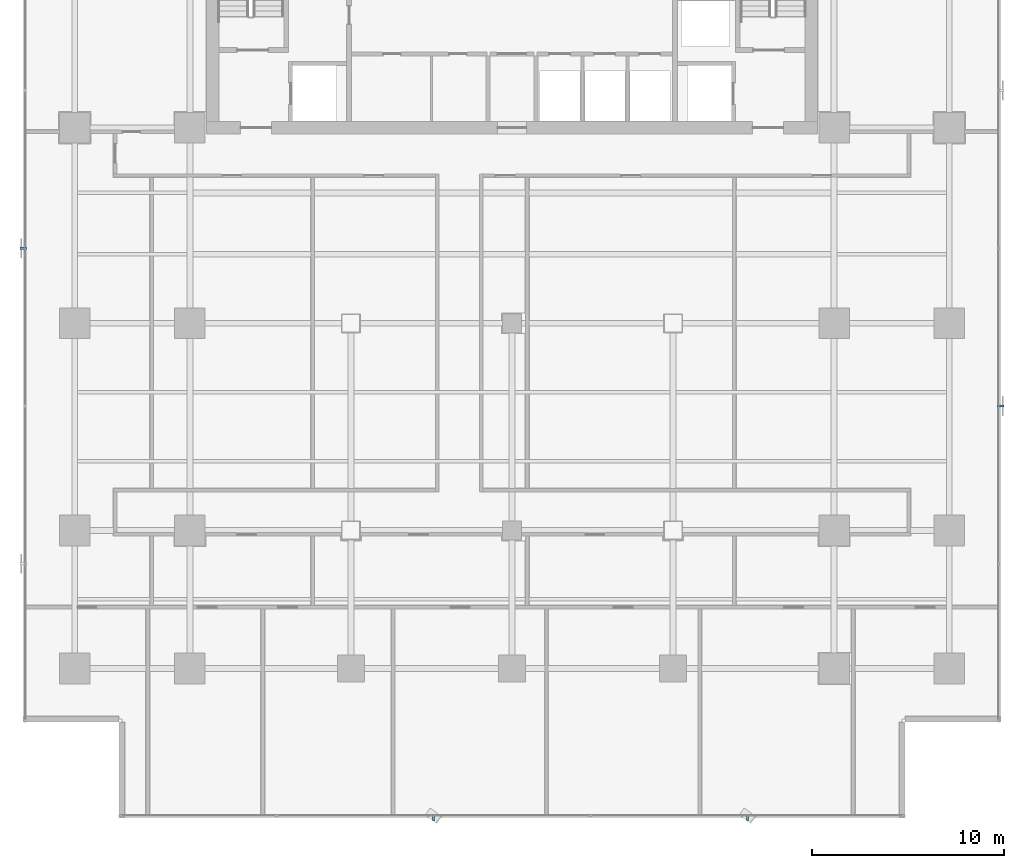
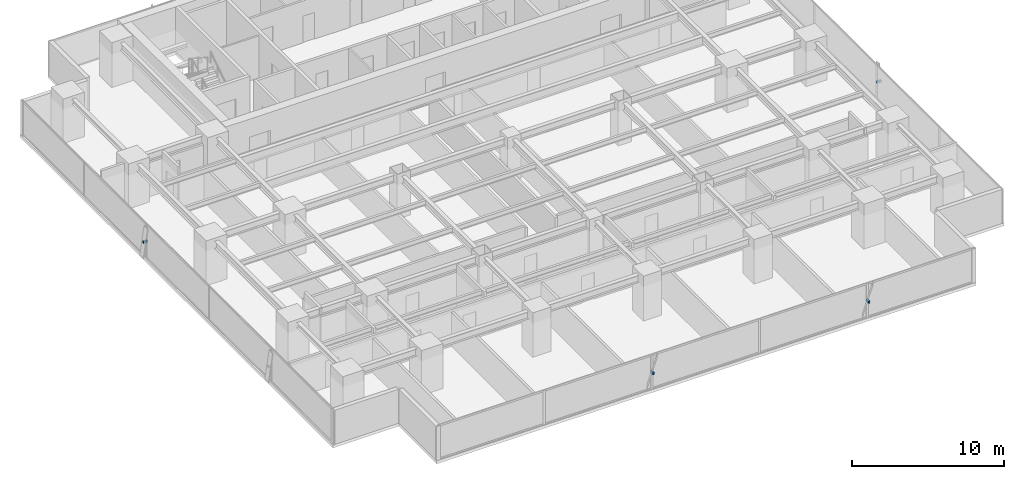
# One storey, part 31 of 37: 4 discrete accessories.
"""IFC4 building model written with IfcOpenShell, lengths in metres."""

from ifc_helpers import new_model, si_unit, direction, frame, origin, origin_2d, place, context, subcontext, project, spatial, rectangle, extrude, source, transform, mapped, material, material_profile, profile_set, type_object, element, save


model = new_model("IFC4")

# Units and contexts
model_context = context("Model", 3, precision=1e-05, world=origin(), true_north=direction((0.0, 1.0)))
body_context = subcontext(model_context, "Body", "Model", "MODEL_VIEW")
ifc_project = project(units=[si_unit("LENGTHUNIT", "METRE"), si_unit("AREAUNIT", "SQUARE_METRE"), si_unit("VOLUMEUNIT", "CUBIC_METRE"), si_unit("PLANEANGLEUNIT", "RADIAN"), si_unit("MASSUNIT", "GRAM", prefix="KILO")], contexts=[model_context])

# Site, building, storey
site_placement = place(None, origin())
site = spatial("IfcSite", under=ifc_project, at=site_placement, CompositionType="ELEMENT")
building_placement = place(site_placement, origin())
building = spatial("IfcBuilding", under=site, at=building_placement, Name="Sumidabori Civic Tower", CompositionType="ELEMENT")
storey_placement = place(building_placement, frame((0.0, 0.0, 117.199951171875)))
storey = spatial("IfcBuildingStorey", under=building, at=storey_placement, Name="L30", CompositionType="ELEMENT", Elevation=117.199951171875)

# Discrete accessories
ifc_material = material(Name="Stainless Steel Hairline Finish", Category="steel")
ifc_material_profile = material_profile(ifc_material, rectangle(XDim=0.1201171875, YDim=0.179931640625, at=origin_2d()), Name="STEEL BRACKET 180x120")
ifc_profile_set = profile_set([ifc_material_profile], Name="Stainless Steel Hairline Finish")
discrete_accessory_type = type_object("IfcDiscreteAccessoryType", Name="AC-BRK-180", PredefinedType="BRACKET", material=ifc_profile_set)
shared_shape_1 = source(origin(), body_context, "Body", "SweptSolid", [
    extrude(rectangle(XDim=0.1201171875, YDim=0.179931640625, at=origin_2d()), origin(), (0.0, 0.0, 1.0), 0.329833984375),
])
for number, where, z_axis, x_axis, name in (
    (1, (25.330078125, -4.31396484375, 1.360107421875), (1.0, 0.0, 0.0), (0.0, 1.0, 0.0), "Bronze Fin Fixing Bracket L30-02"),
    (2, (-25.330078125, 3.9140625, 1.360107421875), (-1.0, 0.0, 0.0), (0.0, -1.0, 0.0), "Bronze Fin Fixing Bracket L30-02"),
):
    element("IfcDiscreteAccessory", number, at=place(storey_placement, frame(where, z_axis=z_axis, x_axis=x_axis)), inside=storey, type_object=discrete_accessory_type, Name=name, PredefinedType="BRACKET", context=body_context, shape_type="MappedRepresentation", body=[
        mapped(shared_shape_1, transform((0.0, 0.0, 0.0), x_axis=(1.0, 0.0, 0.0), y_axis=(0.0, 1.0, 0.0), z_axis=(0.0, 0.0, 1.0), scale=1.0)),
    ])
shared_shape_2 = source(origin(), body_context, "Body", "SweptSolid", [
    extrude(rectangle(XDim=0.1201171875, YDim=0.179931640625, at=origin_2d()), origin(), (0.0, 0.0, 1.0), 0.330078125),
])
for number, where, z_axis, x_axis, name in (
    (3, (-4.093994140625, -25.6298828125, 1.360107421875), (0.0, -1.0, 0.0), (1.0, 0.0, 0.0), "Bronze Fin Fixing Bracket L30-02"),
    (4, (12.281982421875, -25.6298828125, 1.360107421875), (0.0, -1.0, 0.0), (1.0, 0.0, 0.0), "Bronze Fin Fixing Bracket L30-04"),
):
    element("IfcDiscreteAccessory", number, at=place(storey_placement, frame(where, z_axis=z_axis, x_axis=x_axis)), inside=storey, type_object=discrete_accessory_type, Name=name, PredefinedType="BRACKET", context=body_context, shape_type="MappedRepresentation", body=[
        mapped(shared_shape_2, transform((0.0, 0.0, 0.0), x_axis=(1.0, 0.0, 0.0), y_axis=(0.0, 1.0, 0.0), z_axis=(0.0, 0.0, 1.0), scale=1.0)),
    ])

save(model, "model.ifc")
